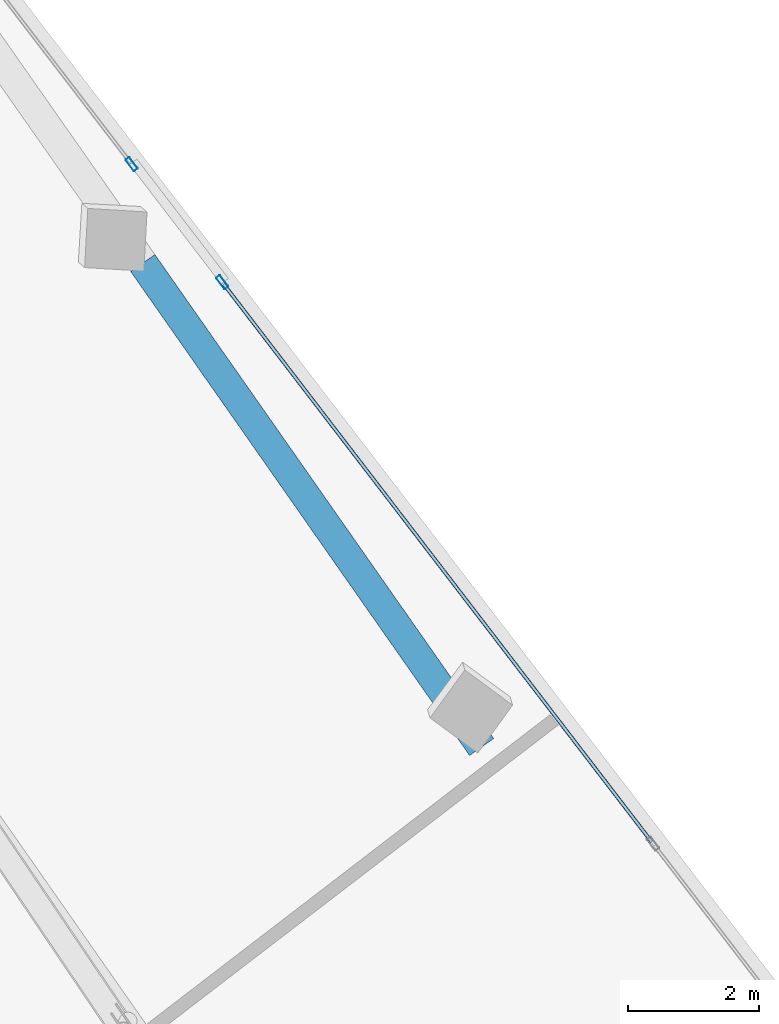
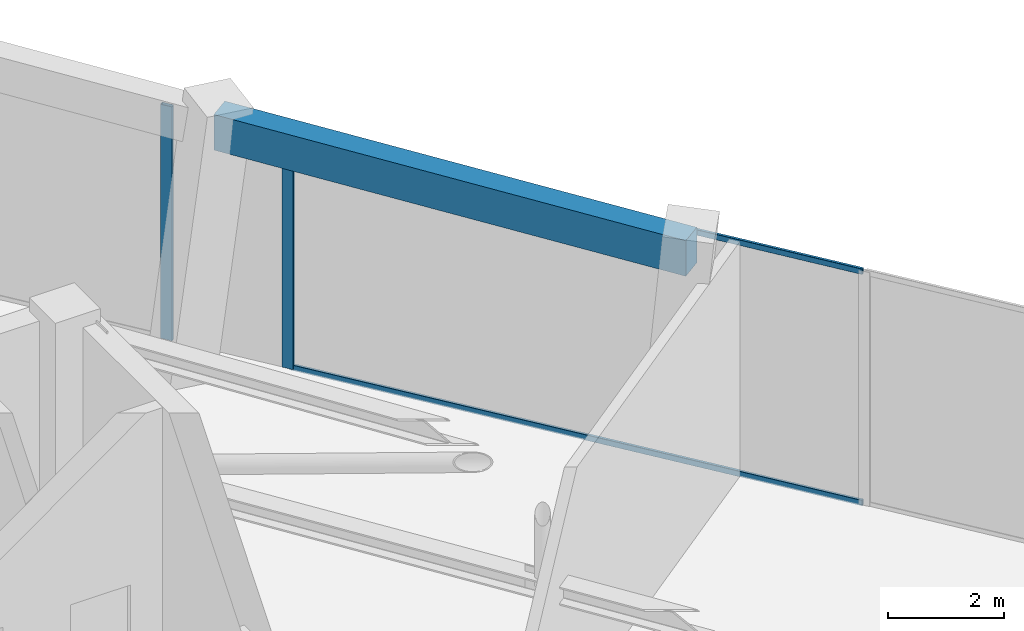
# One storey, part 12 of 19: 4 members, 1 beam, 2 elements without a shape of their own.
"""IFC4 building model written with IfcOpenShell, lengths in metres."""

import ifcopenshell
import ifcopenshell.guid

model = None  # the IFC model being written
_history = None  # IfcOwnerHistory: only IFC2X3 demands one
_inside = {}  # id of a spatial element -> (the spatial element, [elements in it])
_under = {}  # id of a project, library or spatial element -> (it, [spatial elements below it])
_declared = {}  # id of a project -> (the project, [libraries it declares])
_typed = {}  # id of a type object -> (the type object, [elements of that type])
_made_of = {}  # id of a material, layer set ... -> (it, [elements and type objects made of it])


def new_model(schema):
    """Start an empty IFC model of exactly this schema.

    Asked for "IFC4X3", IfcOpenShell would pick the latest addendum, in which some entities
    have other attributes; the version numbers below select the first issue.
    IFC2X3 requires an IfcOwnerHistory on every rooted entity: one is made here for all.
    """
    global model, _history
    if schema == "IFC4X3":
        model = ifcopenshell.file(schema_version=(4, 3, 0, 0))
    else:
        model = ifcopenshell.file(schema=schema)
    _inside.clear()
    _under.clear()
    _declared.clear()
    _typed.clear()
    _made_of.clear()
    _history = None
    if model.schema == "IFC2X3":
        org = make("IfcOrganization", Name="unknown")
        user = make(
            "IfcPersonAndOrganization",
            ThePerson=make("IfcPerson", FamilyName="unknown"),
            TheOrganization=org,
        )
        app = make(
            "IfcApplication",
            ApplicationDeveloper=org,
            Version="unknown",
            ApplicationFullName="unknown",
            ApplicationIdentifier="unknown",
        )
        _history = make(
            "IfcOwnerHistory",
            OwningUser=user,
            OwningApplication=app,
            ChangeAction="ADDED",
            CreationDate=0,
        )
    return model


def make(cls, **values):
    """One entity of the class cls with the attributes given. An attribute that is None is left unset."""
    return model.create_entity(
        cls, **{name: value for name, value in values.items() if value is not None}
    )


def rooted(cls, **values):
    """An entity with a GlobalId (a new one), such as an element, a storey or a relation."""
    return make(cls, GlobalId=ifcopenshell.guid.new(), OwnerHistory=_history, **values)


def si_unit(unit_type, name, prefix=None):
    """IfcSIUnit, for example si_unit("LENGTHUNIT", "METRE", prefix="MILLI")."""
    return make("IfcSIUnit", UnitType=unit_type, Prefix=prefix, Name=name)


def assignment(units):
    """IfcUnitAssignment: the units of a project."""
    return None if units is None else make("IfcUnitAssignment", Units=units)


def point(xyz):
    """IfcCartesianPoint."""
    return None if xyz is None else make("IfcCartesianPoint", Coordinates=xyz)


def direction(xyz):
    """IfcDirection."""
    return None if xyz is None else make("IfcDirection", DirectionRatios=xyz)


def frame(location, z_axis=None, x_axis=None):
    """IfcAxis2Placement3D, a coordinate frame: its origin and axes. An axis left out is left unset."""
    return make(
        "IfcAxis2Placement3D",
        Location=point(location),
        Axis=direction(z_axis),
        RefDirection=direction(x_axis),
    )


def frame_2d(location, x_axis=None):
    """IfcAxis2Placement2D, a coordinate frame in the plane: its origin and x axis."""
    return make(
        "IfcAxis2Placement2D", Location=point(location), RefDirection=direction(x_axis)
    )


def origin():
    """The frame at (0, 0, 0) with its axes left unset."""
    return frame((0.0, 0.0, 0.0))


def origin_2d():
    """The frame at (0, 0) in the plane with its x axis left unset."""
    return frame_2d((0.0, 0.0))


def place(relative_to, where):
    """IfcLocalPlacement: puts the frame where relative to a parent placement (None: the world)."""
    return make(
        "IfcLocalPlacement", PlacementRelTo=relative_to, RelativePlacement=where
    )


def context(
    kind, dimensions, precision=None, world=None, true_north=None, identifier=None
):
    """IfcGeometricRepresentationContext, for example the 3D "Model" context."""
    return make(
        "IfcGeometricRepresentationContext",
        ContextIdentifier=identifier,
        ContextType=kind,
        CoordinateSpaceDimension=dimensions,
        Precision=precision,
        WorldCoordinateSystem=world,
        TrueNorth=true_north,
    )


def subcontext(parent, identifier, kind, view, scale=None):
    """IfcGeometricRepresentationSubContext, for example "Body" below "Model"."""
    return make(
        "IfcGeometricRepresentationSubContext",
        ContextIdentifier=identifier,
        ContextType=kind,
        ParentContext=parent,
        TargetScale=scale,
        TargetView=view,
    )


def project(units=None, contexts=None):
    """IfcProject with its units and contexts."""
    return rooted(
        "IfcProject",
        Name="project",
        RepresentationContexts=contexts,
        UnitsInContext=assignment(units),
    )


def spatial(cls, under=None, at=None, **own):
    """A site, building, storey or space (cls), placed at a placement, below another one or the project."""
    s = rooted(cls, ObjectPlacement=at, **own)
    if under is not None:
        _under.setdefault(under.id(), (under, []))[1].append(s)
    return s


def profile(cls, at=None, kind="AREA", **sizes):
    """A parametric profile (cls). Its sizes go by their IFC names, for example OverallWidth=200.0."""
    return make(cls, ProfileType=kind, Position=at, **sizes)


def rectangle(**sizes):
    """IfcRectangleProfileDef."""
    return profile("IfcRectangleProfileDef", **sizes)


def hollow_rectangle(**sizes):
    """IfcRectangleHollowProfileDef."""
    return profile("IfcRectangleHollowProfileDef", **sizes)


def extrude(swept, where, along, depth):
    """IfcExtrudedAreaSolid: the profile swept, set in the frame where, extruded along a direction by depth."""
    return make(
        "IfcExtrudedAreaSolid",
        SweptArea=swept,
        Position=where,
        ExtrudedDirection=direction(along),
        Depth=depth,
    )


def shape(context_of_items, identifier, shape_type, items):
    """IfcShapeRepresentation: the items that make up one representation, for example the "Body"."""
    return make(
        "IfcShapeRepresentation",
        ContextOfItems=context_of_items,
        RepresentationIdentifier=identifier,
        RepresentationType=shape_type,
        Items=items,
    )


def source(mapping_origin, context_of_items, identifier, shape_type, items):
    """IfcRepresentationMap: a shape defined once, which mapped items show again and again."""
    return make(
        "IfcRepresentationMap",
        MappingOrigin=mapping_origin,
        MappedRepresentation=shape(context_of_items, identifier, shape_type, items),
    )


def transform(
    local_origin,
    x_axis=None,
    y_axis=None,
    z_axis=None,
    scale=None,
    scale2=None,
    scale3=None,
    uniform=True,
):
    """IfcCartesianTransformationOperator3D, or its non-uniform kind. x_axis, y_axis, z_axis: its Axis1, 2, 3."""
    if uniform:
        return make(
            "IfcCartesianTransformationOperator3D",
            Axis1=direction(x_axis),
            Axis2=direction(y_axis),
            LocalOrigin=point(local_origin),
            Scale=scale,
            Axis3=direction(z_axis),
        )
    return make(
        "IfcCartesianTransformationOperator3DnonUniform",
        Axis1=direction(x_axis),
        Axis2=direction(y_axis),
        LocalOrigin=point(local_origin),
        Scale=scale,
        Axis3=direction(z_axis),
        Scale2=scale2,
        Scale3=scale3,
    )


def mapped(mapping_source, mapping_target):
    """IfcMappedItem: shows the shape of a source again, moved by a transform."""
    return make(
        "IfcMappedItem", MappingSource=mapping_source, MappingTarget=mapping_target
    )


def material(Name=None, Category=None):
    """IfcMaterial."""
    return make("IfcMaterial", Name=Name, Category=Category)


def material_profile(
    of_material, cross_section, Name=None, Category=None, Priority=None
):
    """IfcMaterialProfile: a cross section and its material."""
    return make(
        "IfcMaterialProfile",
        Name=Name,
        Material=of_material,
        Profile=cross_section,
        Priority=Priority,
        Category=Category,
    )


def profile_set(profiles, Name=None, composite=None):
    """IfcMaterialProfileSet."""
    return make(
        "IfcMaterialProfileSet",
        Name=Name,
        MaterialProfiles=profiles,
        CompositeProfile=composite,
    )


def made_of(thing, what):
    """Note that an element or type object is made of a material, layer set ...; save() writes the relation."""
    if what is not None:
        _made_of.setdefault(what.id(), (what, []))[1].append(thing)
    return thing


def type_object(cls, material=None, **own):
    """A type object (cls), such as IfcWallType, which elements share."""
    return made_of(rooted(cls, **own), material)


def element(
    cls,
    number,
    at=None,
    inside=None,
    cuts=None,
    type_object=None,
    material=None,
    context=None,
    identifier="Body",
    shape_type=None,
    held_by="IfcProductDefinitionShape",
    body=None,
    shapes=None,
    **own,
):
    """One element of the class cls, such as IfcWall. Its Tag is "e" and its number.

    at: its placement. inside: the storey or other place that contains it. cuts: it is an
    opening in that element (IfcRelVoidsElement). A single representation is given by context,
    identifier, shape_type and body (its items); several are given by shapes. held_by: the class
    of the entity that holds the representations. save() writes the other relations.
    """
    e = rooted(cls, Tag="e%d" % number, ObjectPlacement=at, **own)
    if body is not None:
        shapes = [shape(context, identifier, shape_type, body)]
    if shapes is not None:
        e.Representation = make(held_by, Representations=shapes)
    if inside is not None:
        _inside.setdefault(inside.id(), (inside, []))[1].append(e)
    if cuts is not None:
        rooted(
            "IfcRelVoidsElement", RelatingBuildingElement=cuts, RelatedOpeningElement=e
        )
    if type_object is not None:
        _typed.setdefault(type_object.id(), (type_object, []))[1].append(e)
    return made_of(e, material)


def aggregate(whole, parts):
    """IfcRelAggregates: a whole, such as a stair, and the parts it consists of."""
    return rooted("IfcRelAggregates", RelatingObject=whole, RelatedObjects=parts)


def save(model, path):
    """Write the relations noted so far, then the file.

    IfcRelAggregates (storeys below a building ...), IfcRelContainedInSpatialStructure (elements
    in a storey), IfcRelDefinesByType, IfcRelAssociatesMaterial and IfcRelDeclares: one each for
    every whole, place, type object, material and project.
    """
    for whole, parts in _under.values():
        aggregate(whole, parts)
    for where, things in _inside.values():
        rooted(
            "IfcRelContainedInSpatialStructure",
            RelatedElements=things,
            RelatingStructure=where,
        )
    for kind, things in _typed.values():
        rooted("IfcRelDefinesByType", RelatedObjects=things, RelatingType=kind)
    for what, things in _made_of.values():
        rooted("IfcRelAssociatesMaterial", RelatedObjects=things, RelatingMaterial=what)
    for by, libraries in _declared.values():
        rooted("IfcRelDeclares", RelatingContext=by, RelatedDefinitions=libraries)
    model.write(path)


model = new_model("IFC4")

# Units and contexts
model_context = context("Model", 3, precision=1e-05, world=origin(), true_north=direction((0.0, 1.0)))
body_context = subcontext(model_context, "Body", "Model", "MODEL_VIEW")
ifc_project = project(units=[si_unit("LENGTHUNIT", "METRE"), si_unit("AREAUNIT", "SQUARE_METRE"), si_unit("VOLUMEUNIT", "CUBIC_METRE"), si_unit("PLANEANGLEUNIT", "RADIAN"), si_unit("MASSUNIT", "GRAM", prefix="KILO")], contexts=[model_context])

# Site, building, storey
site_placement = place(None, origin())
site = spatial("IfcSite", under=ifc_project, at=site_placement, CompositionType="ELEMENT")
building_placement = place(site_placement, origin())
building = spatial("IfcBuilding", under=site, at=building_placement, Name="Torre Montelarca", CompositionType="ELEMENT")
storey_placement = place(building_placement, frame((0.0, 0.0, 287.800048828125)))
storey = spatial("IfcBuildingStorey", under=building, at=storey_placement, Name="L65", CompositionType="ELEMENT", Elevation=287.800048828125)

# Beam
ifc_material_1 = material(Name="Concrete C55/67", Category="concrete")
ifc_material_profile_1 = material_profile(ifc_material_1, rectangle(XDim=0.449951171875, YDim=0.75, at=origin_2d()), Name="RCB450X750", Category="concrete")
ifc_profile_set_1 = profile_set([ifc_material_profile_1], Name="Concrete C55/67")
beam_type = type_object("IfcBeamType", Name="BM-SP-RC750-EXT", PredefinedType="SPANDREL", material=ifc_profile_set_1)
shared_shape_1 = source(origin(), body_context, "Body", "SweptSolid", [
    extrude(rectangle(XDim=0.449951171875, YDim=0.75, at=origin_2d()), origin(), (0.0, 0.0, 1.0), 9.0),
])
beam_placement = place(storey_placement, frame((31.902587890625, 43.556640625, 5.344970703125), z_axis=(0.573573395961, -0.819154173185, 0.0), x_axis=(0.819154173185, 0.573573395961, 0.0)))
element("IfcBeam", 1, at=beam_placement, inside=storey, type_object=beam_type, Name="L65 Grid Girder X 18.0-27.0 at Y=47.1", PredefinedType="SPANDREL", context=body_context, shape_type="MappedRepresentation", body=[
    mapped(shared_shape_1, transform((0.0, 0.0, 0.0), scale=1.0)),
])

# Curtain wall, member
ifc_material_2 = material(Name="Insulated low-E laminated glass", Category="glass")
curtain_wall_type = type_object("IfcCurtainWallType", Name="CW-SYS-Z3", PredefinedType="USERDEFINED", material=ifc_material_2)
curtain_wall_1_placement = place(storey_placement, origin())
curtain_wall_1 = element("IfcCurtainWall", 2, at=curtain_wall_1_placement, inside=storey, type_object=curtain_wall_type, Name="L65 Curtain Wall Run CW-T3-L65-E08-B1", ObjectType="UNITISED GLAZING", PredefinedType="USERDEFINED")
ifc_material_3 = material(Name="Anodised aluminium AA 6063-T6", Category="aluminium")
ifc_material_profile_2 = material_profile(ifc_material_3, hollow_rectangle(XDim=0.074951171875, YDim=0.219970703125, WallThickness=0.0048828125, InnerFilletRadius=0.0048828125, OuterFilletRadius=0.010009765625, at=origin_2d()), Name="ALU75X220X5", Category="aluminium")
ifc_profile_set_2 = profile_set([ifc_material_profile_2], Name="Anodised aluminium AA 6063-T6")
member_type_1 = type_object("IfcMemberType", Name="CWM-ALU220", PredefinedType="MULLION", material=ifc_profile_set_2)
shared_shape_2 = source(origin(), body_context, "Body", "SweptSolid", [
    extrude(hollow_rectangle(XDim=0.074951171875, YDim=0.219970703125, WallThickness=0.0048828125, InnerFilletRadius=0.0048828125, OuterFilletRadius=0.010009765625, at=origin_2d()), origin(), (0.0, 0.0, 1.0), 4.93505859375),
])
member_1_placement = place(storey_placement, frame((33.11181640625, 43.26513671875, 0.0), z_axis=(0.0, 0.0, 1.0), x_axis=(-0.793353857957, -0.608760754373, 0.0)))
member_1 = element("IfcMember", 3, at=member_1_placement, type_object=member_type_1, Name="CW mullion 3", PredefinedType="MULLION", context=body_context, shape_type="MappedRepresentation", body=[
    mapped(shared_shape_2, transform((0.0, 0.0, 0.0), scale=1.0)),
])

curtain_wall_2_placement = place(storey_placement, origin())
curtain_wall_2 = element("IfcCurtainWall", 4, at=curtain_wall_2_placement, inside=storey, type_object=curtain_wall_type, Name="L65 Curtain Wall Run CW-T3-L65-E08-B2", ObjectType="UNITISED GLAZING", PredefinedType="USERDEFINED")
member_2_placement = place(storey_placement, frame((31.731689453125, 45.063720703125, 0.0), z_axis=(0.0, 0.0, 1.0), x_axis=(-0.79335277, -0.608762172226, 0.0)))
member_2 = element("IfcMember", 5, at=member_2_placement, type_object=member_type_1, Name="CW mullion 1", PredefinedType="MULLION", context=body_context, shape_type="MappedRepresentation", body=[
    mapped(shared_shape_2, transform((0.0, 0.0, 0.0), scale=1.0)),
])
aggregate(curtain_wall_2, [member_2])

# Member
ifc_material_profile_3 = material_profile(ifc_material_3, hollow_rectangle(XDim=0.054931640625, YDim=0.1201171875, WallThickness=0.00341796875, InnerFilletRadius=0.00341796875, OuterFilletRadius=0.007080078125, at=origin_2d()), Name="ALU55X120X3.5", Category="aluminium")
ifc_profile_set_3 = profile_set([ifc_material_profile_3], Name="Anodised aluminium AA 6063-T6")
member_type_2 = type_object("IfcMemberType", Name="CWT-ALU120", PredefinedType="USERDEFINED", material=ifc_profile_set_3)
shared_shape_3 = source(origin(), body_context, "Body", "SweptSolid", [
    extrude(hollow_rectangle(XDim=0.054931640625, YDim=0.1201171875, WallThickness=0.00341796875, InnerFilletRadius=0.00341796875, OuterFilletRadius=0.007080078125, at=origin_2d()), origin(), (0.0, 0.0, 1.0), 10.70751953125),
])
member_3_placement = place(storey_placement, frame((39.653076171875, 34.740478515625, 0.02734375), z_axis=(-0.60875938331, 0.793354910007, 0.0), x_axis=(-0.793354910007, -0.60875938331, 0.0)))
member_3 = element("IfcMember", 6, at=member_3_placement, type_object=member_type_2, Name="CW transom 2.1", ObjectType="TRANSOM", PredefinedType="USERDEFINED", context=body_context, shape_type="MappedRepresentation", body=[
    mapped(shared_shape_3, transform((0.0, 0.0, 0.0), scale=1.0)),
])

member_4_placement = place(storey_placement, frame((39.653076171875, 34.740478515625, 4.907470703125), z_axis=(-0.60875938331, 0.793354910007, 0.0), x_axis=(-0.793354910007, -0.60875938331, 0.0)))
member_4 = element("IfcMember", 7, at=member_4_placement, type_object=member_type_2, Name="CW transom 2.2", ObjectType="TRANSOM", PredefinedType="USERDEFINED", context=body_context, shape_type="MappedRepresentation", body=[
    mapped(shared_shape_3, transform((0.0, 0.0, 0.0), scale=1.0)),
])

aggregate(curtain_wall_1, [member_1, member_3, member_4])

save(model, "model.ifc")
